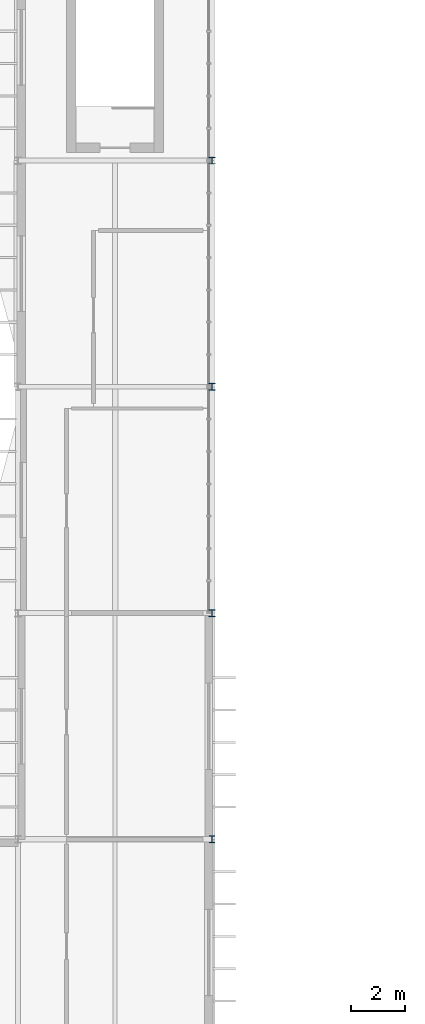
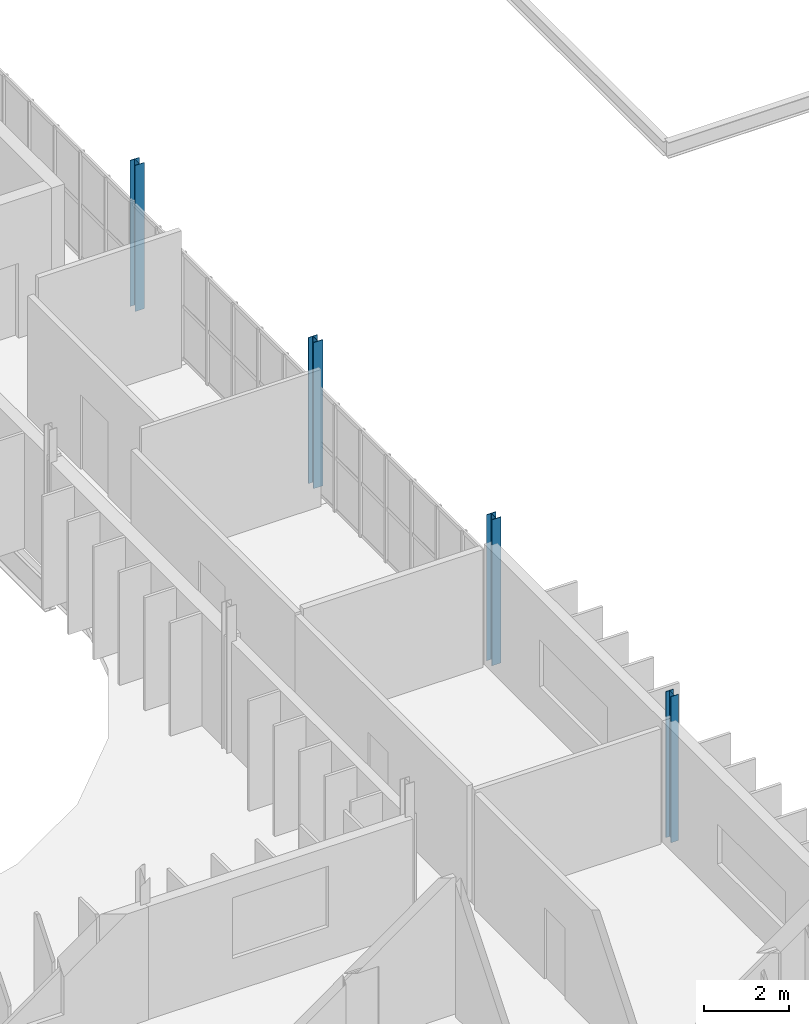
# One storey, part 5 of 18: 4 columns.
"""IFC4 building model written with IfcOpenShell, lengths in metres."""

from ifc_helpers import new_model, si_unit, direction, frame, origin, origin_2d, place, context, subcontext, project, spatial, i_section, extrude, material, material_profile, profile_set, type_object, element, save


model = new_model("IFC4")

# Units and contexts
model_context = context("Model", 3, precision=1e-05, world=origin(), true_north=direction((0.0, 1.0)))
body_context = subcontext(model_context, "Body", "Model", "MODEL_VIEW")
ifc_project = project(units=[si_unit("LENGTHUNIT", "METRE"), si_unit("AREAUNIT", "SQUARE_METRE"), si_unit("VOLUMEUNIT", "CUBIC_METRE"), si_unit("PLANEANGLEUNIT", "RADIAN"), si_unit("MASSUNIT", "GRAM", prefix="KILO")], contexts=[model_context])

# Site, building, storey
site_placement = place(None, origin())
site = spatial("IfcSite", under=ifc_project, at=site_placement, CompositionType="ELEMENT")
building_placement = place(site_placement, origin())
building = spatial("IfcBuilding", under=site, at=building_placement, Name="Qelthora Terrace Specialist Clinic", CompositionType="ELEMENT")
storey_placement = place(building_placement, frame((0.0, 0.0, 21.60009765625)))
storey = spatial("IfcBuildingStorey", under=building, at=storey_placement, Name="L05", CompositionType="ELEMENT", Elevation=21.60009765625)

# Columns
ifc_material = material(Name="Steel S355", Category="steel")
ifc_material_profile_1 = material_profile(ifc_material, i_section(OverallWidth=0.2041015625, OverallDepth=0.257080078125, WebThickness=0.0087890625, FlangeThickness=0.015625, FilletRadius=0.012939453125, at=origin_2d()), Name="W250X67")
ifc_profile_set_1 = profile_set([ifc_material_profile_1], Name="Steel S355")
column_type_1 = type_object("IfcColumnType", Name="COL-W250X67", PredefinedType="COLUMN", material=ifc_profile_set_1)
column_1_placement = place(storey_placement, frame((43.199951171875, 67.199951171875, 0.0), z_axis=(0.0, 0.0, 1.0), x_axis=(1.0, 0.0, 0.0)))
element("IfcColumn", 1, at=column_1_placement, inside=storey, type_object=column_type_1, Name="Column L05-087", PredefinedType="COLUMN", context=body_context, shape_type="SweptSolid", body=[
    extrude(i_section(OverallWidth=0.2041015625, OverallDepth=0.257080078125, WebThickness=0.0087890625, FlangeThickness=0.015625, FilletRadius=0.012939453125, at=origin_2d()), origin(), (0.0, 0.0, 1.0), 4.199951171875),
])
ifc_material_profile_2 = material_profile(ifc_material, i_section(OverallWidth=0.25390625, OverallDepth=0.2529296875, WebThickness=0.008544921875, FlangeThickness=0.01416015625, FilletRadius=0.012939453125, at=origin_2d()), Name="W250X73")
ifc_profile_set_2 = profile_set([ifc_material_profile_2], Name="Steel S355")
column_type_2 = type_object("IfcColumnType", Name="COL-W250X73", PredefinedType="COLUMN", material=ifc_profile_set_2)
column_2_placement = place(storey_placement, frame((43.199951171875, 92.39990234375, 0.0), z_axis=(0.0, 0.0, 1.0), x_axis=(1.0, 0.0, 0.0)))
element("IfcColumn", 2, at=column_2_placement, inside=storey, type_object=column_type_2, Name="Column L05-090", PredefinedType="COLUMN", context=body_context, shape_type="SweptSolid", body=[
    extrude(i_section(OverallWidth=0.25390625, OverallDepth=0.2529296875, WebThickness=0.008544921875, FlangeThickness=0.01416015625, FilletRadius=0.012939453125, at=origin_2d()), origin(), (0.0, 0.0, 1.0), 4.199951171875),
])
ifc_material_profile_3 = material_profile(ifc_material, i_section(OverallWidth=0.2548828125, OverallDepth=0.256103515625, WebThickness=0.009521484375, FlangeThickness=0.015625, FilletRadius=0.012939453125, at=origin_2d()), Name="W250X80")
ifc_profile_set_3 = profile_set([ifc_material_profile_3], Name="Steel S355")
column_type_3 = type_object("IfcColumnType", Name="COL-W250X80", PredefinedType="COLUMN", material=ifc_profile_set_3)
column_3_placement = place(storey_placement, frame((43.199951171875, 84.0, 0.0), z_axis=(0.0, 0.0, 1.0), x_axis=(1.0, 0.0, 0.0)))
element("IfcColumn", 3, at=column_3_placement, inside=storey, type_object=column_type_3, Name="Column L05-089", PredefinedType="COLUMN", context=body_context, shape_type="SweptSolid", body=[
    extrude(i_section(OverallWidth=0.2548828125, OverallDepth=0.256103515625, WebThickness=0.009521484375, FlangeThickness=0.015625, FilletRadius=0.012939453125, at=origin_2d()), origin(), (0.0, 0.0, 1.0), 4.199951171875),
])
ifc_material_profile_4 = material_profile(ifc_material, i_section(OverallWidth=0.256103515625, OverallDepth=0.260009765625, WebThickness=0.0107421875, FlangeThickness=0.017333984375, FilletRadius=0.012939453125, at=origin_2d()), Name="W250X89")
ifc_profile_set_4 = profile_set([ifc_material_profile_4], Name="Steel S355")
column_type_4 = type_object("IfcColumnType", Name="COL-W250X89", PredefinedType="COLUMN", material=ifc_profile_set_4)
column_4_placement = place(storey_placement, frame((43.199951171875, 75.60009765625, 0.0), z_axis=(0.0, 0.0, 1.0), x_axis=(1.0, 0.0, 0.0)))
element("IfcColumn", 4, at=column_4_placement, inside=storey, type_object=column_type_4, Name="Column L05-088", PredefinedType="COLUMN", context=body_context, shape_type="SweptSolid", body=[
    extrude(i_section(OverallWidth=0.256103515625, OverallDepth=0.260009765625, WebThickness=0.0107421875, FlangeThickness=0.017333984375, FilletRadius=0.012939453125, at=origin_2d()), origin(), (0.0, 0.0, 1.0), 4.199951171875),
])

save(model, "model.ifc")
